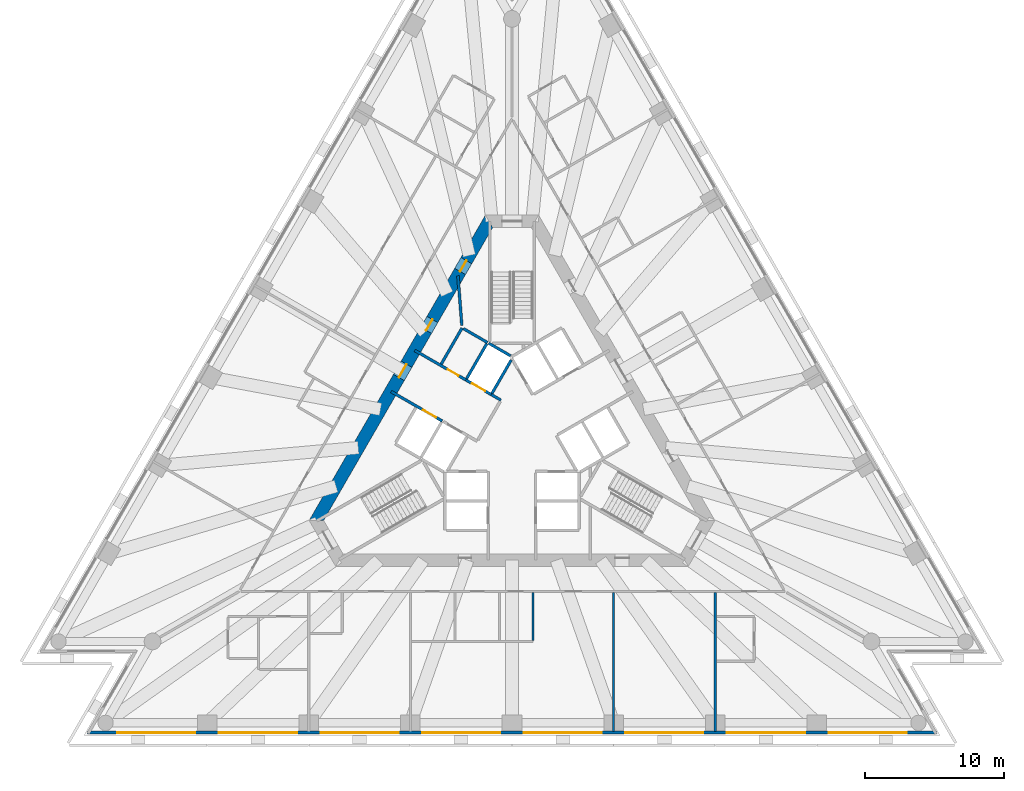
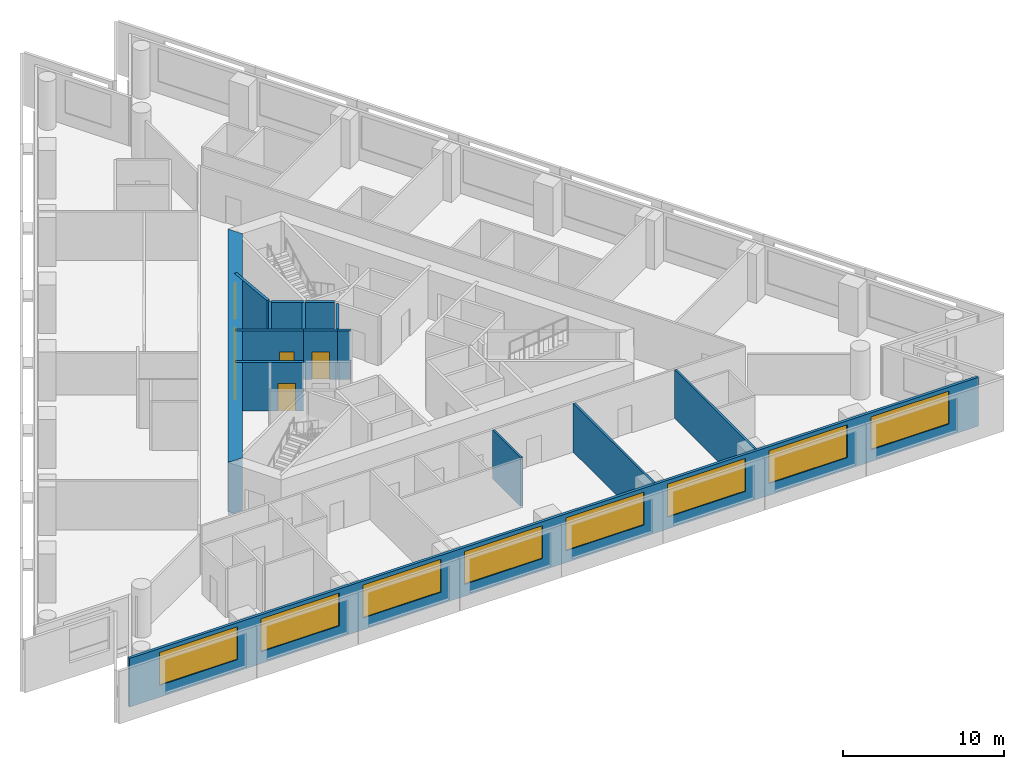
# One storey, part 4 of 11: 15 walls, 8 windows, 6 doors, 14 openings.
"""IFC4 building model written with IfcOpenShell, lengths in metres."""

from ifc_helpers import new_model, si_unit, direction, frame, frame_2d, origin, place, context, subcontext, project, spatial, polyline, rectangle, outline, extrude, material, layer, layer_set, layer_usage, type_object, element, fill, save


model = new_model("IFC4")

# Units and contexts
model_context = context("Model", 3, precision=1e-05, world=origin(), true_north=direction((0.0, 1.0)))
body_context = subcontext(model_context, "Body", "Model", "MODEL_VIEW")
ifc_project = project(units=[si_unit("LENGTHUNIT", "METRE"), si_unit("AREAUNIT", "SQUARE_METRE"), si_unit("VOLUMEUNIT", "CUBIC_METRE"), si_unit("PLANEANGLEUNIT", "RADIAN"), si_unit("MASSUNIT", "GRAM", prefix="KILO")], contexts=[model_context])

# Site, building, storey
site_placement = place(None, origin())
site = spatial("IfcSite", under=ifc_project, at=site_placement, CompositionType="ELEMENT")
building_placement = place(site_placement, origin())
building = spatial("IfcBuilding", under=site, at=building_placement, Name="Triada Interchange Tower", CompositionType="ELEMENT")
storey_placement = place(building_placement, frame((0.0, 0.0, 71.300048828125)))
storey = spatial("IfcBuildingStorey", under=building, at=storey_placement, Name="L15", CompositionType="ELEMENT", Elevation=71.300048828125)

# Wall, opening, door
ifc_material_1 = material(Name="Concrete C30/37", Category="concrete")
ifc_layer_1 = layer(ifc_material_1, 0.199951171875)
ifc_layer_set_1 = layer_set([ifc_layer_1], Name="CORE WALL 200 EI 180")
wall_type_1 = type_object("IfcWallType", Name="CORE WALL 200 EI 180", PredefinedType="SOLIDWALL", material=ifc_layer_set_1)
wall_1_placement = place(storey_placement, frame((-8.669921875, 3.04296875, 0.0), z_axis=(0.0, 0.0, 1.0), x_axis=(0.866029956157, -0.499992114976, 0.0)))
wall_1 = element("IfcWall", 1, at=wall_1_placement, inside=storey, type_object=wall_type_1, Name="Wall L15 74", PredefinedType="SOLIDWALL", context=body_context, shape_type="SweptSolid", body=[
    extrude(rectangle(XDim=4.23193359375, YDim=0.199951171875, at=frame_2d((2.115966796875, 0.0))), origin(), (0.0, 0.0, 1.0), 3.699951171875),
])
opening_1_placement = place(wall_1_placement, frame((2.6298828125, 0.0, 0.0)))
opening_1 = element("IfcOpeningElement", 2, at=opening_1_placement, cuts=wall_1, Name="Opening LD-SV1", PredefinedType="OPENING", context=body_context, shape_type="SweptSolid", body=[
    extrude(rectangle(XDim=1.10009765625, YDim=2.10009765625, at=frame_2d((0.550048828125, 1.050048828125))), frame((0.0, 0.10986328125, 0.0), z_axis=(0.0, -1.0, 0.0), x_axis=(1.0, 0.0, 0.0)), (0.0, 0.0, 1.0), 0.219970703125),
])
ifc_material_2 = material(Name="Steel S235 door leaf", Category="steel")
door_type_1 = type_object("IfcDoorType", Name="LIFT LANDING DOOR 1100 EI 120", OperationType="SLIDING_TO_LEFT", PredefinedType="DOOR", material=ifc_material_2)
door_1_placement = place(opening_1_placement, origin())
door_1 = element("IfcDoor", 3, at=door_1_placement, inside=storey, type_object=door_type_1, Name="SV1 landing door L15", OperationType="SLIDING_TO_LEFT", OverallHeight=2.10009765625, OverallWidth=1.10009765625, PredefinedType="DOOR", context=body_context, shape_type="SweptSolid", body=[
    extrude(rectangle(XDim=1.10009765625, YDim=2.10009765625, at=frame_2d((0.550048828125, 1.050048828125))), frame((0.0, 0.02490234375, 0.0), z_axis=(0.0, -1.0, 0.0), x_axis=(1.0, 0.0, 0.0)), (0.0, 0.0, 1.0), 0.050048828125),
])
fill(opening_1, door_1)

wall_2_placement = place(storey_placement, frame((-6.969970703125, 5.987060546875, 0.0), z_axis=(0.0, 0.0, 1.0), x_axis=(0.866029956157, -0.499992114976, 0.0)))
wall_2 = element("IfcWall", 4, at=wall_2_placement, inside=storey, type_object=wall_type_1, Name="Wall L15 76", PredefinedType="SOLIDWALL", context=body_context, shape_type="SweptSolid", body=[
    extrude(rectangle(XDim=4.23193359375, YDim=0.199951171875, at=frame_2d((2.115966796875, 0.0))), origin(), (0.0, 0.0, 1.0), 3.699951171875),
])
opening_2_placement = place(wall_2_placement, frame((2.72998046875, 0.0, 0.0)))
opening_2 = element("IfcOpeningElement", 5, at=opening_2_placement, cuts=wall_2, Name="Opening D15-10", PredefinedType="OPENING", context=body_context, shape_type="SweptSolid", body=[
    extrude(rectangle(XDim=0.89990234375, YDim=2.10009765625, at=frame_2d((0.449951171875, 1.050048828125))), frame((0.0, 0.10986328125, 0.0), z_axis=(0.0, -1.0, 0.0), x_axis=(1.0, 0.0, 0.0)), (0.0, 0.0, 1.0), 0.219970703125),
])
door_type_2 = type_object("IfcDoorType", Name="SERVICE DOOR 900 EI2 90-C5S200", OperationType="NOTDEFINED", PredefinedType="DOOR", material=ifc_material_2)
door_2_placement = place(opening_2_placement, origin())
door_2 = element("IfcDoor", 6, at=door_2_placement, inside=storey, type_object=door_type_2, Name="Door D15-10 L15", OperationType="SINGLE_SWING_LEFT", OverallHeight=2.10009765625, OverallWidth=0.89990234375, PredefinedType="DOOR", context=body_context, shape_type="SweptSolid", body=[
    extrude(rectangle(XDim=0.89990234375, YDim=2.10009765625, at=frame_2d((0.449951171875, 1.050048828125))), frame((0.0, 0.02490234375, 0.0), z_axis=(0.0, -1.0, 0.0), x_axis=(1.0, 0.0, 0.0)), (0.0, 0.0, 1.0), 0.050048828125),
])
fill(opening_2, door_2)

# Walls
wall_3_placement = place(storey_placement, frame((-1.488037109375, 2.822021484375, 0.0), z_axis=(0.0, 0.0, 1.0), x_axis=(0.866236612152, -0.499633997809, 0.0)))
element("IfcWall", 7, at=wall_3_placement, inside=storey, type_object=wall_type_1, Name="Wall L15 77", PredefinedType="SOLIDWALL", context=body_context, shape_type="SweptSolid", body=[
    extrude(rectangle(XDim=0.79638671875, YDim=0.199951171875, at=frame_2d((0.398193359375, 0.0))), origin(), (0.0, 0.0, 1.0), 3.699951171875),
])
wall_4_placement = place(storey_placement, frame((-5.075927734375, 5.009033203125, 0.0), z_axis=(0.0, 0.0, 1.0), x_axis=(0.500085598968, 0.865975977556, 0.0)))
element("IfcWall", 8, at=wall_4_placement, inside=storey, type_object=wall_type_1, Name="Wall L15 78", PredefinedType="SOLIDWALL", context=body_context, shape_type="SweptSolid", body=[
    extrude(rectangle(XDim=2.9873046875, YDim=0.199951171875, at=frame_2d((1.49365234375, 0.0))), origin(), (0.0, 0.0, 1.0), 3.699951171875),
])
wall_5_placement = place(storey_placement, frame((-3.489013671875, 7.556884765625, 0.0), z_axis=(0.0, 0.0, 1.0), x_axis=(0.866010750942, -0.50002537861, 0.0)))
element("IfcWall", 9, at=wall_5_placement, inside=storey, type_object=wall_type_1, Name="Wall L15 79", PredefinedType="SOLIDWALL", context=body_context, shape_type="SweptSolid", body=[
    extrude(rectangle(XDim=2.0, YDim=0.199951171875, at=frame_2d((1.0, 0.0))), origin(), (0.0, 0.0, 1.0), 3.699951171875),
])

# Wall, opening, door
wall_6_placement = place(storey_placement, frame((-3.30908203125, 3.873046875, 0.0), z_axis=(0.0, 0.0, 1.0), x_axis=(0.866098583652, -0.499873227325, 0.0)))
wall_6 = element("IfcWall", 10, at=wall_6_placement, inside=storey, type_object=wall_type_1, Name="Shaft wall FF2 L15 85", PredefinedType="SOLIDWALL", context=body_context, shape_type="SweptSolid", body=[
    extrude(rectangle(XDim=2.1025390625, YDim=0.199951171875, at=frame_2d((1.05126953125, 0.0))), origin(), (0.0, 0.0, 1.0), 3.699951171875),
])
opening_3_placement = place(wall_6_placement, frame((0.501953125, 0.0, 0.0)))
opening_3 = element("IfcOpeningElement", 11, at=opening_3_placement, cuts=wall_6, Name="Opening LD-FF2", PredefinedType="OPENING", context=body_context, shape_type="SweptSolid", body=[
    extrude(rectangle(XDim=1.10009765625, YDim=2.10009765625, at=frame_2d((0.550048828125, 1.050048828125))), frame((0.0, 0.10986328125, 0.0), z_axis=(0.0, -1.0, 0.0), x_axis=(1.0, 0.0, 0.0)), (0.0, 0.0, 1.0), 0.219970703125),
])
door_3_placement = place(opening_3_placement, origin())
door_3 = element("IfcDoor", 12, at=door_3_placement, inside=storey, type_object=door_type_1, Name="FF2 landing door L15", OperationType="SLIDING_TO_LEFT", OverallHeight=2.10009765625, OverallWidth=1.10009765625, PredefinedType="DOOR", context=body_context, shape_type="SweptSolid", body=[
    extrude(rectangle(XDim=1.10009765625, YDim=2.10009765625, at=frame_2d((0.550048828125, 1.050048828125))), frame((0.0, 0.02490234375, 0.0), z_axis=(0.0, -1.0, 0.0), x_axis=(1.0, 0.0, 0.0)), (0.0, 0.0, 1.0), 0.050048828125),
])
fill(opening_3, door_3)

# Walls
wall_7_placement = place(storey_placement, frame((-3.257080078125, 3.958984375, 0.0), z_axis=(0.0, 0.0, 1.0), x_axis=(0.50012328804, 0.865954211699, 0.0)))
element("IfcWall", 13, at=wall_7_placement, inside=storey, type_object=wall_type_1, Name="Shaft wall FF2 L15 86", PredefinedType="SOLIDWALL", context=body_context, shape_type="SweptSolid", body=[
    extrude(rectangle(XDim=2.899658203125, YDim=0.199951171875, at=frame_2d((1.44970703125, 0.0))), origin(), (0.0, 0.0, 1.0), 3.699951171875),
])
wall_8_placement = place(storey_placement, frame((-1.669921875, 6.507080078125, 0.0), z_axis=(0.0, 0.0, 1.0), x_axis=(0.865941441609, -0.500145398563, 0.0)))
element("IfcWall", 14, at=wall_8_placement, inside=storey, type_object=wall_type_1, Name="Shaft wall FF2 L15 87", PredefinedType="SOLIDWALL", context=body_context, shape_type="SweptSolid", body=[
    extrude(rectangle(XDim=1.8154296875, YDim=0.199951171875, at=frame_2d((0.90771484375, 0.0))), origin(), (0.0, 0.0, 1.0), 3.699951171875),
])
wall_9_placement = place(storey_placement, frame((-1.43798828125, 2.908935546875, 0.0), z_axis=(0.0, 0.0, 1.0), x_axis=(0.499829630636, 0.866123744241, 0.0)))
element("IfcWall", 15, at=wall_9_placement, inside=storey, type_object=wall_type_1, Name="Shaft wall FF2 L15 88", PredefinedType="SOLIDWALL", context=body_context, shape_type="SweptSolid", body=[
    extrude(rectangle(XDim=2.7607421875, YDim=0.199951171875, at=frame_2d((1.38037109375, 0.0))), origin(), (0.0, 0.0, 1.0), 3.699951171875),
])
ifc_layer_2 = layer(ifc_material_1, 0.199951171875)
ifc_layer_set_2 = layer_set([ifc_layer_2], Name="CORE WALL 200 EI 90")
wall_type_2 = type_object("IfcWallType", Name="CORE WALL 200 EI 90", PredefinedType="SOLIDWALL", material=ifc_layer_set_2)
wall_10_placement = place(storey_placement, frame((-3.876953125, 11.344970703125, 0.0), z_axis=(0.0, 0.0, 1.0), x_axis=(0.078070537984, -0.996947837702, 0.0)))
element("IfcWall", 16, at=wall_10_placement, inside=storey, type_object=wall_type_2, Name="Wall L15 89", PredefinedType="SOLIDWALL", context=body_context, shape_type="SweptSolid", body=[
    extrude(rectangle(XDim=3.5869140625, YDim=0.199951171875, at=frame_2d((1.79345703125, 0.0))), origin(), (0.0, 0.0, 1.0), 3.699951171875),
])

# Wall, openings, doors
ifc_material_3 = material(Name="Concrete C70/85", Category="concrete")
ifc_layer_3 = layer(ifc_material_3, 0.89990234375)
ifc_layer_set_3 = layer_set([ifc_layer_3], Name="Core wall A 900")
wall_type_3 = type_object("IfcWallType", Name="Core wall A 900", PredefinedType="SHEAR", material=ifc_layer_set_3)
wall_11_placement = place(storey_placement, frame((-1.64501953125, 15.25, -0.300048828125), z_axis=(0.0, 0.0, 1.0), x_axis=(-0.500026485275, -0.866010111964, 0.0)))
wall_11 = element("IfcWall", 17, at=wall_11_placement, inside=storey, type_object=wall_type_3, Name="Core wall WA02 L15", PredefinedType="SHEAR", context=body_context, shape_type="SweptSolid", body=[
    extrude(outline(polyline([(-0.260009765625, -0.449951171875), (1.685302734375, -0.449951171875), (3.63037109375, -0.44970703125), (5.57568359375, -0.44970703125), (7.52099609375, -0.44970703125), (9.466064453125, -0.449462890625), (11.411376953125, -0.449462890625), (13.356689453125, -0.449462890625), (15.302001953125, -0.449462890625), (17.2470703125, -0.44921875), (19.1923828125, -0.44921875), (21.1376953125, -0.44921875), (23.082763671875, -0.448974609375), (25.028076171875, -0.448974609375), (24.509033203125, 0.449951171875), (22.643798828125, 0.449951171875), (20.7783203125, 0.44970703125), (18.9130859375, 0.44970703125), (17.0478515625, 0.44970703125), (15.182373046875, 0.449462890625), (13.317138671875, 0.449462890625), (11.451904296875, 0.449462890625), (9.586669921875, 0.449462890625), (7.72119140625, 0.44921875), (5.85595703125, 0.44921875), (3.99072265625, 0.44921875), (2.125244140625, 0.448974609375), (0.260009765625, 0.448974609375), (-0.260009765625, -0.449951171875)])), origin(), (0.0, 0.0, 1.0), 4.0),
])
opening_4_placement = place(wall_11_placement, frame((11.833984375, 0.0, 0.300048828125)))
opening_4 = element("IfcOpeningElement", 18, at=opening_4_placement, cuts=wall_11, Name="Opening D15-47", PredefinedType="OPENING", context=body_context, shape_type="SweptSolid", body=[
    extrude(rectangle(XDim=1.10009765625, YDim=2.10009765625, at=frame_2d((0.550048828125, 1.050048828125))), frame((0.0, 0.4599609375, 0.0), z_axis=(0.0, -1.0, 0.0), x_axis=(1.0, 0.0, 0.0)), (0.0, 0.0, 1.0), 0.919921875),
])
opening_5_placement = place(wall_11_placement, frame((8.1298828125, 0.0, 0.300048828125)))
opening_5 = element("IfcOpeningElement", 19, at=opening_5_placement, cuts=wall_11, Name="Opening D15-51", PredefinedType="OPENING", context=body_context, shape_type="SweptSolid", body=[
    extrude(rectangle(XDim=0.89990234375, YDim=2.10009765625, at=frame_2d((0.449951171875, 1.050048828125))), frame((0.0, 0.4599609375, 0.0), z_axis=(0.0, -1.0, 0.0), x_axis=(1.0, 0.0, 0.0)), (0.0, 0.0, 1.0), 0.919921875),
])
opening_6_placement = place(wall_11_placement, frame((3.2548828125, 0.0, 0.300048828125)))
opening_6 = element("IfcOpeningElement", 20, at=opening_6_placement, cuts=wall_11, Name="Opening D15-52", PredefinedType="OPENING", context=body_context, shape_type="SweptSolid", body=[
    extrude(rectangle(XDim=0.89990234375, YDim=2.10009765625, at=frame_2d((0.449951171875, 1.050048828125))), frame((0.0, 0.4599609375, 0.0), z_axis=(0.0, -1.0, 0.0), x_axis=(1.0, 0.0, 0.0)), (0.0, 0.0, 1.0), 0.919921875),
])
door_type_3 = type_object("IfcDoorType", Name="FIRE LOBBY DOOR 1100 EI2 90-C5S200", OperationType="NOTDEFINED", PredefinedType="DOOR", material=ifc_material_2)
door_4_placement = place(opening_4_placement, origin())
door_4 = element("IfcDoor", 21, at=door_4_placement, inside=storey, type_object=door_type_3, Name="Door D15-47 L15", OperationType="SINGLE_SWING_LEFT", OverallHeight=2.10009765625, OverallWidth=1.10009765625, PredefinedType="DOOR", context=body_context, shape_type="SweptSolid", body=[
    extrude(rectangle(XDim=1.10009765625, YDim=2.10009765625, at=frame_2d((0.550048828125, 1.050048828125))), frame((0.0, 0.02490234375, 0.0), z_axis=(0.0, -1.0, 0.0), x_axis=(1.0, 0.0, 0.0)), (0.0, 0.0, 1.0), 0.050048828125),
])
fill(opening_4, door_4)
door_type_4 = type_object("IfcDoorType", Name="RISER ACCESS DOOR 900 EI2 45-C5S200", OperationType="NOTDEFINED", PredefinedType="DOOR", material=ifc_material_2)
door_5_placement = place(opening_6_placement, origin())
door_5 = element("IfcDoor", 22, at=door_5_placement, inside=storey, type_object=door_type_4, Name="Door D15-52 L15", OperationType="SINGLE_SWING_LEFT", OverallHeight=2.10009765625, OverallWidth=0.89990234375, PredefinedType="DOOR", context=body_context, shape_type="SweptSolid", body=[
    extrude(rectangle(XDim=0.89990234375, YDim=2.10009765625, at=frame_2d((0.449951171875, 1.050048828125))), frame((0.0, 0.02490234375, 0.0), z_axis=(0.0, -1.0, 0.0), x_axis=(1.0, 0.0, 0.0)), (0.0, 0.0, 1.0), 0.050048828125),
])
fill(opening_6, door_5)
door_type_5 = type_object("IfcDoorType", Name="SERVICE DOOR 900 EI2 45-C5S200", OperationType="NOTDEFINED", PredefinedType="DOOR", material=ifc_material_2)
door_6_placement = place(opening_5_placement, origin())
door_6 = element("IfcDoor", 23, at=door_6_placement, inside=storey, type_object=door_type_5, Name="Door D15-51 L15", OperationType="SINGLE_SWING_LEFT", OverallHeight=2.10009765625, OverallWidth=0.89990234375, PredefinedType="DOOR", context=body_context, shape_type="SweptSolid", body=[
    extrude(rectangle(XDim=0.89990234375, YDim=2.10009765625, at=frame_2d((0.449951171875, 1.050048828125))), frame((0.0, 0.02490234375, 0.0), z_axis=(0.0, -1.0, 0.0), x_axis=(1.0, 0.0, 0.0)), (0.0, 0.0, 1.0), 0.050048828125),
])
fill(opening_5, door_6)

# Wall, openings, windows
ifc_material_4 = material(Name="Cement board")
ifc_layer_4 = layer(ifc_material_4, 0.02001953125, Name="Cement board cladding")
ifc_material_5 = material(Name="Sheathing board")
ifc_layer_5 = layer(ifc_material_5, 0.014892578125, Name="Sheathing board")
ifc_material_6 = material(Name="Mineral wool")
ifc_layer_6 = layer(ifc_material_6, 0.14990234375, Name="Mineral wool between steel studs")
ifc_material_7 = material(Name="Gypsum board")
ifc_layer_7 = layer(ifc_material_7, 0.014892578125, Name="Plasterboard lining")
ifc_layer_set_4 = layer_set([ifc_layer_4, ifc_layer_5, ifc_layer_6, ifc_layer_7], Name="External wall 200")
ifc_layer_usage = layer_usage(ifc_layer_set_4, "AXIS2", "POSITIVE", -0.10009765625)
wall_type_4 = type_object("IfcWallType", Name="External wall 200", PredefinedType="ELEMENTEDWALL", material=ifc_layer_set_4)
wall_12_placement = place(storey_placement, frame((-30.452880859375, -21.422119140625, 0.0), z_axis=(0.0, 0.0, 1.0), x_axis=(1.0, 0.0, 0.0)))
wall_12 = element("IfcWall", 24, at=wall_12_placement, inside=storey, type_object=wall_type_4, material=ifc_layer_usage, Name="External wall L15 S", PredefinedType="ELEMENTEDWALL", context=body_context, shape_type="SweptSolid", body=[
    extrude(rectangle(XDim=60.885986328125, YDim=0.199951171875, at=frame_2d((30.44287109375, 0.0))), origin(), (0.0, 0.0, 1.0), 3.699951171875),
])
opening_7_placement = place(wall_12_placement, frame((2.14697265625, 0.0, 0.89990234375)))
opening_7 = element("IfcOpeningElement", 25, at=opening_7_placement, cuts=wall_12, Name="Opening WA11", PredefinedType="OPENING", context=body_context, shape_type="SweptSolid", body=[
    extrude(rectangle(XDim=5.60009765625, YDim=2.5, at=frame_2d((2.800048828125, 1.25))), frame((0.0, 0.10986328125, 0.0), z_axis=(0.0, -1.0, 0.0), x_axis=(1.0, 0.0, 0.0)), (0.0, 0.0, 1.0), 0.219970703125),
])
opening_8_placement = place(wall_12_placement, frame((9.43408203125, 0.0, 0.89990234375)))
opening_8 = element("IfcOpeningElement", 26, at=opening_8_placement, cuts=wall_12, Name="Opening WA12", PredefinedType="OPENING", context=body_context, shape_type="SweptSolid", body=[
    extrude(rectangle(XDim=5.60009765625, YDim=2.5, at=frame_2d((2.800048828125, 1.25))), frame((0.0, 0.10986328125, 0.0), z_axis=(0.0, -1.0, 0.0), x_axis=(1.0, 0.0, 0.0)), (0.0, 0.0, 1.0), 0.219970703125),
])
opening_9_placement = place(wall_12_placement, frame((16.721923828125, 0.0, 0.89990234375)))
opening_9 = element("IfcOpeningElement", 27, at=opening_9_placement, cuts=wall_12, Name="Opening WA13", PredefinedType="OPENING", context=body_context, shape_type="SweptSolid", body=[
    extrude(rectangle(XDim=5.60009765625, YDim=2.5, at=frame_2d((2.800048828125, 1.25))), frame((0.0, 0.10986328125, 0.0), z_axis=(0.0, -1.0, 0.0), x_axis=(1.0, 0.0, 0.0)), (0.0, 0.0, 1.0), 0.219970703125),
])
opening_10_placement = place(wall_12_placement, frame((24.009033203125, 0.0, 0.89990234375)))
opening_10 = element("IfcOpeningElement", 28, at=opening_10_placement, cuts=wall_12, Name="Opening WA14", PredefinedType="OPENING", context=body_context, shape_type="SweptSolid", body=[
    extrude(rectangle(XDim=5.60009765625, YDim=2.5, at=frame_2d((2.800048828125, 1.25))), frame((0.0, 0.10986328125, 0.0), z_axis=(0.0, -1.0, 0.0), x_axis=(1.0, 0.0, 0.0)), (0.0, 0.0, 1.0), 0.219970703125),
])
opening_11_placement = place(wall_12_placement, frame((31.297119140625, 0.0, 0.89990234375)))
opening_11 = element("IfcOpeningElement", 29, at=opening_11_placement, cuts=wall_12, Name="Opening WA15", PredefinedType="OPENING", context=body_context, shape_type="SweptSolid", body=[
    extrude(rectangle(XDim=5.60009765625, YDim=2.5, at=frame_2d((2.800048828125, 1.25))), frame((0.0, 0.10986328125, 0.0), z_axis=(0.0, -1.0, 0.0), x_axis=(1.0, 0.0, 0.0)), (0.0, 0.0, 1.0), 0.219970703125),
])
opening_12_placement = place(wall_12_placement, frame((38.583984375, 0.0, 0.89990234375)))
opening_12 = element("IfcOpeningElement", 30, at=opening_12_placement, cuts=wall_12, Name="Opening WA16", PredefinedType="OPENING", context=body_context, shape_type="SweptSolid", body=[
    extrude(rectangle(XDim=5.60009765625, YDim=2.5, at=frame_2d((2.800048828125, 1.25))), frame((0.0, 0.10986328125, 0.0), z_axis=(0.0, -1.0, 0.0), x_axis=(1.0, 0.0, 0.0)), (0.0, 0.0, 1.0), 0.219970703125),
])
opening_13_placement = place(wall_12_placement, frame((45.8720703125, 0.0, 0.89990234375)))
opening_13 = element("IfcOpeningElement", 31, at=opening_13_placement, cuts=wall_12, Name="Opening WA17", PredefinedType="OPENING", context=body_context, shape_type="SweptSolid", body=[
    extrude(rectangle(XDim=5.60009765625, YDim=2.5, at=frame_2d((2.800048828125, 1.25))), frame((0.0, 0.10986328125, 0.0), z_axis=(0.0, -1.0, 0.0), x_axis=(1.0, 0.0, 0.0)), (0.0, 0.0, 1.0), 0.219970703125),
])
opening_14_placement = place(wall_12_placement, frame((53.158935546875, 0.0, 0.89990234375)))
opening_14 = element("IfcOpeningElement", 32, at=opening_14_placement, cuts=wall_12, Name="Opening WA18", PredefinedType="OPENING", context=body_context, shape_type="SweptSolid", body=[
    extrude(rectangle(XDim=5.60009765625, YDim=2.5, at=frame_2d((2.800048828125, 1.25))), frame((0.0, 0.10986328125, 0.0), z_axis=(0.0, -1.0, 0.0), x_axis=(1.0, 0.0, 0.0)), (0.0, 0.0, 1.0), 0.219970703125),
])
ifc_material_8 = material(Name="Double glazed aluminium window", Category="aluminium")
window_type = type_object("IfcWindowType", Name="Ribbon window A face", PartitioningType="SINGLE_PANEL", PredefinedType="WINDOW", material=ifc_material_8)
window_1_placement = place(opening_7_placement, origin())
window_1 = element("IfcWindow", 33, at=window_1_placement, inside=storey, type_object=window_type, Name="Window L15 S 1", OverallHeight=2.5, OverallWidth=5.60009765625, PartitioningType="SINGLE_PANEL", PredefinedType="WINDOW", context=body_context, shape_type="SweptSolid", body=[
    extrude(rectangle(XDim=5.60009765625, YDim=2.5, at=frame_2d((2.800048828125, 1.25))), frame((0.0, 0.030029296875, 0.0), z_axis=(0.0, -1.0, 0.0), x_axis=(1.0, 0.0, 0.0)), (0.0, 0.0, 1.0), 0.06005859375),
])
fill(opening_7, window_1)
window_2_placement = place(opening_8_placement, origin())
window_2 = element("IfcWindow", 34, at=window_2_placement, inside=storey, type_object=window_type, Name="Window L15 S 2", OverallHeight=2.5, OverallWidth=5.60009765625, PartitioningType="SINGLE_PANEL", PredefinedType="WINDOW", context=body_context, shape_type="SweptSolid", body=[
    extrude(rectangle(XDim=5.60009765625, YDim=2.5, at=frame_2d((2.800048828125, 1.25))), frame((0.0, 0.030029296875, 0.0), z_axis=(0.0, -1.0, 0.0), x_axis=(1.0, 0.0, 0.0)), (0.0, 0.0, 1.0), 0.06005859375),
])
fill(opening_8, window_2)
window_3_placement = place(opening_9_placement, origin())
window_3 = element("IfcWindow", 35, at=window_3_placement, inside=storey, type_object=window_type, Name="Window L15 S 3", OverallHeight=2.5, OverallWidth=5.60009765625, PartitioningType="SINGLE_PANEL", PredefinedType="WINDOW", context=body_context, shape_type="SweptSolid", body=[
    extrude(rectangle(XDim=5.60009765625, YDim=2.5, at=frame_2d((2.800048828125, 1.25))), frame((0.0, 0.030029296875, 0.0), z_axis=(0.0, -1.0, 0.0), x_axis=(1.0, 0.0, 0.0)), (0.0, 0.0, 1.0), 0.06005859375),
])
fill(opening_9, window_3)
window_4_placement = place(opening_10_placement, origin())
window_4 = element("IfcWindow", 36, at=window_4_placement, inside=storey, type_object=window_type, Name="Window L15 S 4", OverallHeight=2.5, OverallWidth=5.60009765625, PartitioningType="SINGLE_PANEL", PredefinedType="WINDOW", context=body_context, shape_type="SweptSolid", body=[
    extrude(rectangle(XDim=5.60009765625, YDim=2.5, at=frame_2d((2.800048828125, 1.25))), frame((0.0, 0.030029296875, 0.0), z_axis=(0.0, -1.0, 0.0), x_axis=(1.0, 0.0, 0.0)), (0.0, 0.0, 1.0), 0.06005859375),
])
fill(opening_10, window_4)
window_5_placement = place(opening_11_placement, origin())
window_5 = element("IfcWindow", 37, at=window_5_placement, inside=storey, type_object=window_type, Name="Window L15 S 5", OverallHeight=2.5, OverallWidth=5.60009765625, PartitioningType="SINGLE_PANEL", PredefinedType="WINDOW", context=body_context, shape_type="SweptSolid", body=[
    extrude(rectangle(XDim=5.60009765625, YDim=2.5, at=frame_2d((2.800048828125, 1.25))), frame((0.0, 0.030029296875, 0.0), z_axis=(0.0, -1.0, 0.0), x_axis=(1.0, 0.0, 0.0)), (0.0, 0.0, 1.0), 0.06005859375),
])
fill(opening_11, window_5)
window_6_placement = place(opening_12_placement, origin())
window_6 = element("IfcWindow", 38, at=window_6_placement, inside=storey, type_object=window_type, Name="Window L15 S 6", OverallHeight=2.5, OverallWidth=5.60009765625, PartitioningType="SINGLE_PANEL", PredefinedType="WINDOW", context=body_context, shape_type="SweptSolid", body=[
    extrude(rectangle(XDim=5.60009765625, YDim=2.5, at=frame_2d((2.800048828125, 1.25))), frame((0.0, 0.030029296875, 0.0), z_axis=(0.0, -1.0, 0.0), x_axis=(1.0, 0.0, 0.0)), (0.0, 0.0, 1.0), 0.06005859375),
])
fill(opening_12, window_6)
window_7_placement = place(opening_13_placement, origin())
window_7 = element("IfcWindow", 39, at=window_7_placement, inside=storey, type_object=window_type, Name="Window L15 S 7", OverallHeight=2.5, OverallWidth=5.60009765625, PartitioningType="SINGLE_PANEL", PredefinedType="WINDOW", context=body_context, shape_type="SweptSolid", body=[
    extrude(rectangle(XDim=5.60009765625, YDim=2.5, at=frame_2d((2.800048828125, 1.25))), frame((0.0, 0.030029296875, 0.0), z_axis=(0.0, -1.0, 0.0), x_axis=(1.0, 0.0, 0.0)), (0.0, 0.0, 1.0), 0.06005859375),
])
fill(opening_13, window_7)
window_8_placement = place(opening_14_placement, origin())
window_8 = element("IfcWindow", 40, at=window_8_placement, inside=storey, type_object=window_type, Name="Window L15 S 8", OverallHeight=2.5, OverallWidth=5.60009765625, PartitioningType="SINGLE_PANEL", PredefinedType="WINDOW", context=body_context, shape_type="SweptSolid", body=[
    extrude(rectangle(XDim=5.60009765625, YDim=2.5, at=frame_2d((2.800048828125, 1.25))), frame((0.0, 0.030029296875, 0.0), z_axis=(0.0, -1.0, 0.0), x_axis=(1.0, 0.0, 0.0)), (0.0, 0.0, 1.0), 0.06005859375),
])
fill(opening_14, window_8)

# Walls
ifc_material_9 = material(Name="Gypsum board partition")
ifc_layer_8 = layer(ifc_material_9, 0.14990234375)
ifc_layer_set_5 = layer_set([ifc_layer_8], Name="PARTITION 150 EI 180")
wall_type_5 = type_object("IfcWallType", Name="PARTITION 150 EI 180", PredefinedType="PARTITIONING", material=ifc_layer_set_5)
wall_13_placement = place(storey_placement, frame((1.511962890625, -14.824951171875, 0.0), z_axis=(0.0, 0.0, 1.0), x_axis=(0.0, 1.0, 0.0)))
element("IfcWall", 41, at=wall_13_placement, inside=storey, type_object=wall_type_5, Name="Wall L15 18", PredefinedType="PARTITIONING", context=body_context, shape_type="SweptSolid", body=[
    extrude(rectangle(XDim=3.449951171875, YDim=0.14990234375, at=frame_2d((1.72509765625, 0.0))), origin(), (0.0, 0.0, 1.0), 3.699951171875),
])
for number, where, z_axis, x_axis, name in (
    (42, (7.2880859375, -21.342041015625, 0.0), (0.0, 0.0, 1.0), (0.0, 1.0, 0.0), "Wall L15 26"),
    (43, (14.574951171875, -21.342041015625, 0.0), (0.0, 0.0, 1.0), (0.0, 1.0, 0.0), "Wall L15 32"),
):
    element("IfcWall", number, at=place(storey_placement, frame(where, z_axis=z_axis, x_axis=x_axis)), inside=storey, type_object=wall_type_5, Name=name, PredefinedType="PARTITIONING", context=body_context, shape_type="SweptSolid", body=[
        extrude(rectangle(XDim=9.967041015625, YDim=0.14990234375, at=frame_2d((4.9833984375, 0.0))), origin(), (0.0, 0.0, 1.0), 3.699951171875),
    ])

save(model, "model.ifc")
